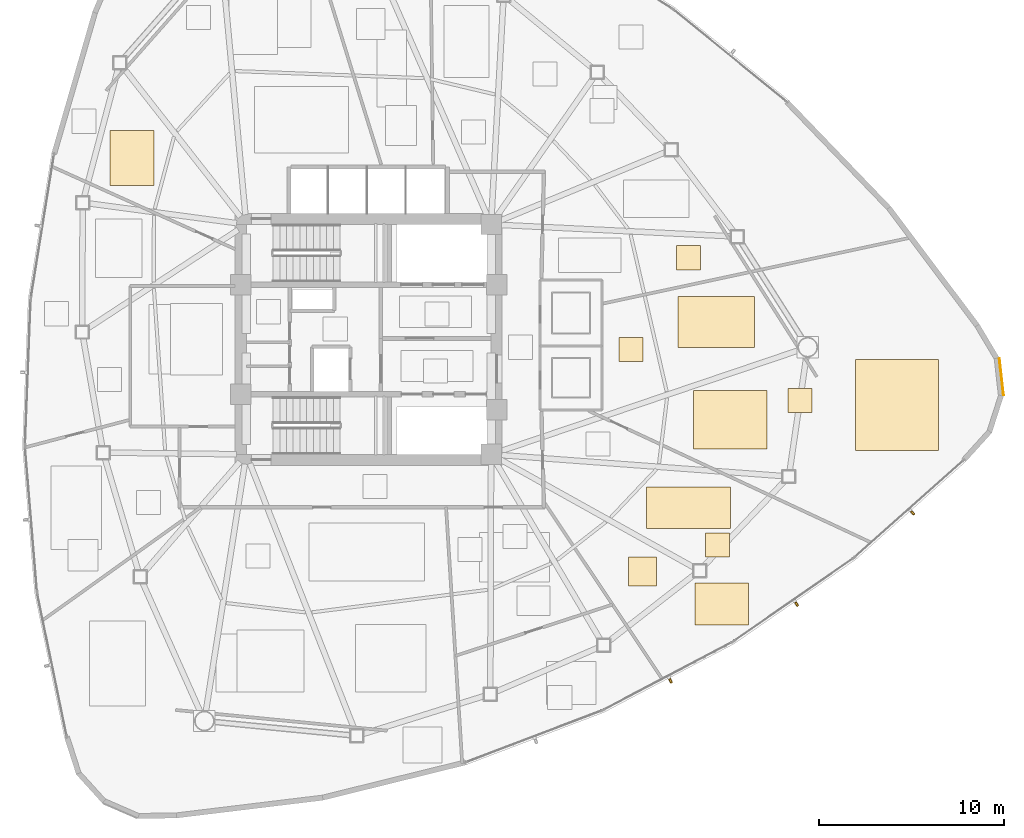
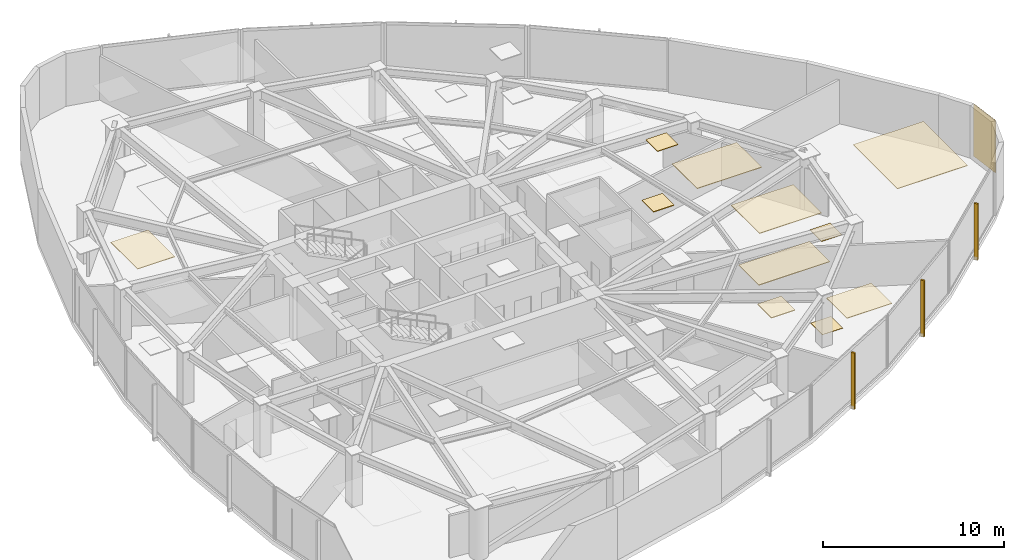
# One storey, part 16 of 17: 12 coverings, 3 shading devices.
"""IFC4 building model written with IfcOpenShell, lengths in metres."""

from ifc_helpers import new_model, si_unit, direction, frame, origin, origin_2d, place, context, subcontext, project, spatial, polyline, rectangle, outline, extrude, source, transform, mapped, material, layer, layer_set, type_object, type_shapes, element, save


model = new_model("IFC4")

# Units and contexts
model_context = context("Model", 3, precision=1e-05, world=origin(), true_north=direction((0.0, 1.0)))
body_context = subcontext(model_context, "Body", "Model", "MODEL_VIEW")
ifc_project = project(units=[si_unit("LENGTHUNIT", "METRE"), si_unit("AREAUNIT", "SQUARE_METRE"), si_unit("VOLUMEUNIT", "CUBIC_METRE"), si_unit("PLANEANGLEUNIT", "RADIAN"), si_unit("MASSUNIT", "GRAM", prefix="KILO")], contexts=[model_context])

# Site, building, storey
site_placement = place(None, origin())
site = spatial("IfcSite", under=ifc_project, at=site_placement, CompositionType="ELEMENT")
building_placement = place(site_placement, origin())
building = spatial("IfcBuilding", under=site, at=building_placement, Name="Tavelor Broadcast Tower", CompositionType="ELEMENT")
storey_placement = place(building_placement, frame((0.0, 0.0, 134.85009765625)))
storey = spatial("IfcBuildingStorey", under=building, at=storey_placement, Name="L31", CompositionType="ELEMENT", Elevation=134.85009765625)

# Coverings
ifc_material_1 = material(Name="Copper-Bronze Anodized Aluminium", Category="aluminium")
ifc_layer_1 = layer(ifc_material_1, 0.050048828125)
ifc_layer_set_1 = layer_set([ifc_layer_1], Name="Copper-Bronze Anodized Aluminium")
covering_type_1 = type_object("IfcCoveringType", Name="Champagne-Bronze Corner Pier Metal Cladding 50 mm", PredefinedType="CLADDING", material=ifc_layer_set_1)
covering_1_placement = place(storey_placement, frame((84.124267578125, 42.979736328125, 0.02001953125), z_axis=(0.0, 0.0, 1.0), x_axis=(-0.112336115762, 0.99367026578, 0.0)))
element("IfcCovering", 1, at=covering_1_placement, inside=storey, type_object=covering_type_1, Name="L31 Champagne-Bronze Corner Cladding 23", PredefinedType="CLADDING", context=body_context, shape_type="SweptSolid", body=[
    extrude(rectangle(XDim=1.989501953125, YDim=0.050048828125, at=origin_2d()), origin(), (0.0, 0.0, 1.0), 3.510009765625),
])
ifc_material_2 = material(Name="Acoustic Nylon Carpet Tile")
ifc_layer_2 = layer(ifc_material_2, 0.02001953125)
ifc_layer_set_2 = layer_set([ifc_layer_2], Name="Acoustic Nylon Carpet Tile")
covering_type_2 = type_object("IfcCoveringType", Name="Heavy-Duty Acoustic Broadcast Carpet Tile 20 mm", PredefinedType="FLOORING", material=ifc_layer_set_2)
covering_2_placement = place(storey_placement, origin())
element("IfcCovering", 2, at=covering_2_placement, inside=storey, type_object=covering_type_2, Name="L31 Broadcast Floor Finish 0439", PredefinedType="FLOORING", context=body_context, shape_type="SweptSolid", body=[
    extrude(outline(polyline([(68.153564453125, 33.25927734375), (69.45361328125, 33.25927734375), (69.45361328125, 34.55908203125), (68.153564453125, 34.55908203125), (68.153564453125, 33.25927734375)])), origin(), (0.0, 0.0, 1.0), 0.02001953125),
])
covering_3_placement = place(storey_placement, origin())
element("IfcCovering", 3, at=covering_3_placement, inside=storey, type_object=covering_type_2, Name="L31 Broadcast Floor Finish 0446", PredefinedType="FLOORING", context=body_context, shape_type="SweptSolid", body=[
    extrude(outline(polyline([(72.60595703125, 41.059814453125), (73.906005859375, 41.059814453125), (73.906005859375, 42.35986328125), (72.60595703125, 42.35986328125), (72.60595703125, 41.059814453125)])), origin(), (0.0, 0.0, 1.0), 0.02001953125),
])
ifc_material_3 = material(Name="Acoustic Mineral Fibre Tile")
ifc_layer_3 = layer(ifc_material_3, 0.0400390625)
ifc_layer_set_3 = layer_set([ifc_layer_3], Name="Acoustic Mineral Fibre Tile")
covering_type_3 = type_object("IfcCoveringType", Name="Suspended Acoustic Mineral-Fibre Office Ceiling 40 mm", PredefinedType="CEILING", material=ifc_layer_set_3)
covering_4_placement = place(storey_placement, frame((0.0, 0.0, 3.510009765625)))
element("IfcCovering", 4, at=covering_4_placement, inside=storey, type_object=covering_type_3, Name="L31 Suspended Acoustic Ceiling 1246", PredefinedType="CEILING", context=body_context, shape_type="SweptSolid", body=[
    extrude(outline(polyline([(64.9931640625, 34.799072265625), (69.522705078125, 34.799072265625), (69.522705078125, 37.038818359375), (64.9931640625, 37.038818359375), (64.9931640625, 34.799072265625)])), origin(), (0.0, 0.0, 1.0), 0.039794921875),
])
covering_5_placement = place(storey_placement, frame((0.0, 0.0, 3.510009765625)))
element("IfcCovering", 5, at=covering_5_placement, inside=storey, type_object=covering_type_3, Name="L31 Suspended Acoustic Ceiling 1247", PredefinedType="CEILING", context=body_context, shape_type="SweptSolid", body=[
    extrude(outline(polyline([(67.602294921875, 29.59912109375), (70.472412109375, 29.59912109375), (70.472412109375, 31.851806640625), (67.602294921875, 31.851806640625), (67.602294921875, 29.59912109375)])), origin(), (0.0, 0.0, 1.0), 0.039794921875),
])
covering_6_placement = place(storey_placement, frame((0.0, 0.0, 3.510009765625)))
element("IfcCovering", 6, at=covering_6_placement, inside=storey, type_object=covering_type_3, Name="L31 Suspended Acoustic Ceiling 1248", PredefinedType="CEILING", context=body_context, shape_type="SweptSolid", body=[
    extrude(outline(polyline([(64.00927734375, 31.712890625), (65.523681640625, 31.712890625), (65.523681640625, 33.254150390625), (64.00927734375, 33.254150390625), (64.00927734375, 31.712890625)])), origin(), (0.0, 0.0, 1.0), 0.039794921875),
])
covering_7_placement = place(storey_placement, frame((0.0, 0.0, 3.510009765625)))
element("IfcCovering", 7, at=covering_7_placement, inside=storey, type_object=covering_type_3, Name="L31 Suspended Acoustic Ceiling 1262", PredefinedType="CEILING", context=body_context, shape_type="SweptSolid", body=[
    extrude(outline(polyline([(36.046875, 53.302490234375), (38.423583984375, 53.302490234375), (38.423583984375, 56.264404296875), (36.046875, 56.264404296875), (36.046875, 53.302490234375)])), origin(), (0.0, 0.0, 1.0), 0.039794921875),
])
covering_8_placement = place(storey_placement, frame((0.0, 0.0, 3.510009765625)))
element("IfcCovering", 8, at=covering_8_placement, inside=storey, type_object=covering_type_3, Name="L31 Suspended Acoustic Ceiling 1274", PredefinedType="CEILING", context=body_context, shape_type="SweptSolid", body=[
    extrude(outline(polyline([(66.59033203125, 48.755615234375), (67.890380859375, 48.755615234375), (67.890380859375, 50.0556640625), (66.59033203125, 50.0556640625), (66.59033203125, 48.755615234375)])), origin(), (0.0, 0.0, 1.0), 0.039794921875),
])
covering_9_placement = place(storey_placement, frame((0.0, 0.0, 3.510009765625)))
element("IfcCovering", 9, at=covering_9_placement, inside=storey, type_object=covering_type_3, Name="L31 Suspended Acoustic Ceiling 1278", PredefinedType="CEILING", context=body_context, shape_type="SweptSolid", body=[
    extrude(outline(polyline([(63.486083984375, 43.810791015625), (64.7861328125, 43.810791015625), (64.7861328125, 45.11083984375), (63.486083984375, 45.11083984375), (63.486083984375, 43.810791015625)])), origin(), (0.0, 0.0, 1.0), 0.039794921875),
])
covering_10_placement = place(storey_placement, frame((0.0, 0.0, 3.510009765625)))
element("IfcCovering", 10, at=covering_10_placement, inside=storey, type_object=covering_type_3, Name="L31 Suspended Acoustic Ceiling 1279", PredefinedType="CEILING", context=body_context, shape_type="SweptSolid", body=[
    extrude(outline(polyline([(66.683349609375, 44.5556640625), (70.802978515625, 44.5556640625), (70.802978515625, 47.3095703125), (66.683349609375, 47.3095703125), (66.683349609375, 44.5556640625)])), origin(), (0.0, 0.0, 1.0), 0.039794921875),
])
covering_11_placement = place(storey_placement, frame((0.0, 0.0, 3.510009765625)))
element("IfcCovering", 11, at=covering_11_placement, inside=storey, type_object=covering_type_3, Name="L31 Suspended Acoustic Ceiling 1280", PredefinedType="CEILING", context=body_context, shape_type="SweptSolid", body=[
    extrude(outline(polyline([(67.5087890625, 39.09228515625), (71.475341796875, 39.09228515625), (71.475341796875, 42.231689453125), (67.5087890625, 42.231689453125), (67.5087890625, 39.09228515625)])), origin(), (0.0, 0.0, 1.0), 0.039794921875),
])
covering_12_placement = place(storey_placement, frame((0.0, 0.0, 3.510009765625)))
element("IfcCovering", 12, at=covering_12_placement, inside=storey, type_object=covering_type_3, Name="L31 Suspended Acoustic Ceiling 1281", PredefinedType="CEILING", context=body_context, shape_type="SweptSolid", body=[
    extrude(outline(polyline([(76.2626953125, 39.01171875), (80.73779296875, 39.01171875), (80.73779296875, 43.906005859375), (76.2626953125, 43.906005859375), (76.2626953125, 39.01171875)])), origin(), (0.0, 0.0, 1.0), 0.039794921875),
])

# Shading devices
ifc_material_4 = material(Name="Kiln-Fired Glazed Terracotta", Category="masonry")
shading_device_type = type_object("IfcShadingDeviceType", Name="Extruded Terracotta Baguette Sun-Screen 110x240", PredefinedType="JALOUSIE", material=ifc_material_4)
shared_shape = source(origin(), body_context, "Body", "SweptSolid", [
    extrude(rectangle(XDim=0.110107421875, YDim=0.239990234375, at=origin_2d()), origin(), (0.0, 0.0, 1.0), 3.7900390625),
])
type_shapes(shading_device_type, [shared_shape])
for number, where, z_axis, x_axis, name in (
    (13, (66.2783203125, 26.590087890625, -0.260009765625), (0.0, 0.0, 1.0), (0.884743720969, 0.466077834922, 0.0), "L31 Terracotta Baguette Fin 306"),
    (14, (73.081298828125, 30.718505859375, -0.260009765625), (0.0, 0.0, 1.0), (0.821845854285, 0.569709918989, 0.0), "L31 Terracotta Baguette Fin 307"),
    (15, (79.335205078125, 35.639892578125, -0.260009765625), (0.0, 0.0, 1.0), (0.746870345992, 0.664969688239, 0.0), "L31 Terracotta Baguette Fin 308"),
):
    element("IfcShadingDevice", number, at=place(storey_placement, frame(where, z_axis=z_axis, x_axis=x_axis)), inside=storey, type_object=shading_device_type, Name=name, PredefinedType="JALOUSIE", context=body_context, shape_type="MappedRepresentation", body=[
        mapped(shared_shape, transform((0.0, 0.0, 0.0), scale=1.0)),
    ])

save(model, "model.ifc")
